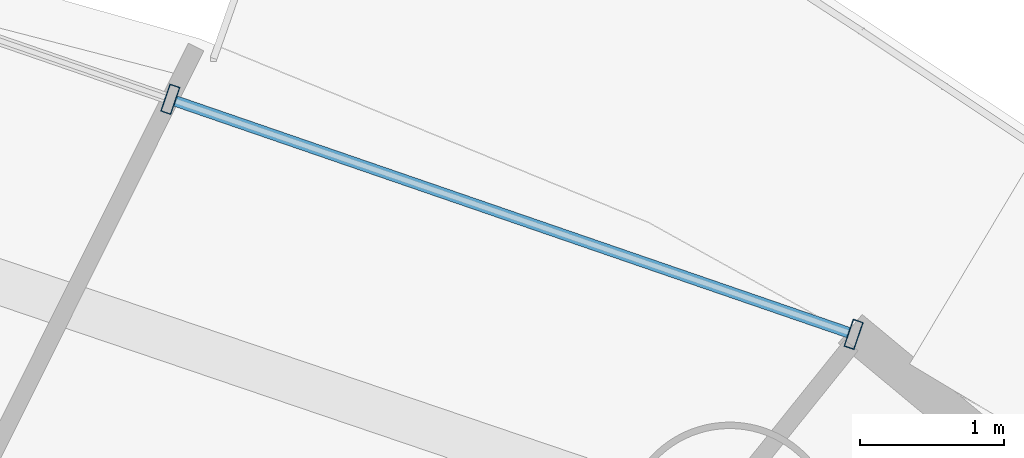
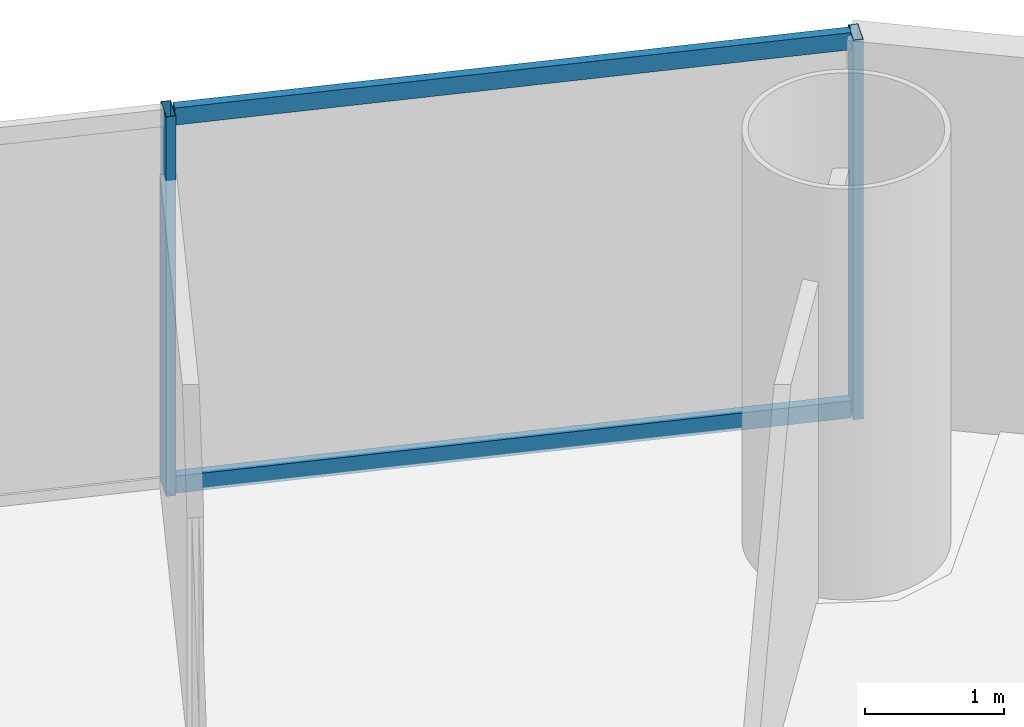
# One storey, part 20 of 29: 4 members, 1 element without a shape of its own.
"""IFC4 building model written with IfcOpenShell, lengths in metres."""

from ifc_helpers import new_model, si_unit, direction, frame, origin, origin_2d, place, context, subcontext, project, spatial, hollow_rectangle, extrude, source, transform, mapped, material, material_profile, profile_set, type_object, element, aggregate, save


model = new_model("IFC4")

# Units and contexts
model_context = context("Model", 3, precision=1e-05, world=origin(), true_north=direction((-0.2419218956, 0.970295726276)))
body_context = subcontext(model_context, "Body", "Model", "MODEL_VIEW")
ifc_project = project(units=[si_unit("LENGTHUNIT", "METRE"), si_unit("AREAUNIT", "SQUARE_METRE"), si_unit("VOLUMEUNIT", "CUBIC_METRE"), si_unit("PLANEANGLEUNIT", "RADIAN"), si_unit("MASSUNIT", "GRAM", prefix="KILO")], contexts=[model_context])

# Site, building, storey
site_placement = place(None, origin())
site = spatial("IfcSite", under=ifc_project, at=site_placement, CompositionType="ELEMENT")
building_placement = place(site_placement, origin())
building = spatial("IfcBuilding", under=site, at=building_placement, Name="Cobrevalo Terracotta Tower", CompositionType="ELEMENT")
storey_placement = place(building_placement, frame((0.0, 0.0, 83.39990234375)))
storey = spatial("IfcBuildingStorey", under=building, at=storey_placement, Name="L21", CompositionType="ELEMENT", Elevation=83.39990234375)

# Curtain wall, members
ifc_material = material(Name="Anodized aluminium", Category="aluminium")
curtain_wall_type = type_object("IfcCurtainWallType", Name="Lower-tower unitised acoustic low-E curtain wall CW-U1", PredefinedType="NOTDEFINED", material=ifc_material)
curtain_wall_placement = place(storey_placement, origin())
curtain_wall = element("IfcCurtainWall", 1, at=curtain_wall_placement, inside=storey, type_object=curtain_wall_type, Name="L21 curtain wall CW-L21-S03", PredefinedType="NOTDEFINED")
ifc_material_profile_1 = material_profile(ifc_material, hollow_rectangle(XDim=0.074951171875, YDim=0.14990234375, WallThickness=0.00439453125, at=origin_2d()), Name="CWT 75x150")
ifc_profile_set_1 = profile_set([ifc_material_profile_1], Name="Anodized aluminium")
member_type_1 = type_object("IfcMemberType", Name="Tower unitised aluminium transom 75x150", PredefinedType="USERDEFINED", material=ifc_profile_set_1)
shared_shape_1 = source(origin(), body_context, "Body", "SweptSolid", [
    extrude(hollow_rectangle(XDim=0.074951171875, YDim=0.14990234375, WallThickness=0.00439453125, at=origin_2d()), origin(), (0.0, 0.0, 1.0), 4.944580078125),
])
member_1_placement = place(storey_placement, frame((52.685791015625, 45.176513671875, 0.050048828125), z_axis=(-0.945597859971, 0.32533780478, 0.0), x_axis=(-0.32533780478, -0.945597859971, 0.0)))
member_1 = element("IfcMember", 2, at=member_1_placement, type_object=member_type_1, Name="CW-L21-S03 transom B01-T1", ObjectType="TRANSOM", PredefinedType="USERDEFINED", context=body_context, shape_type="MappedRepresentation", body=[
    mapped(shared_shape_1, transform((0.0, 0.0, 0.0), scale=1.0)),
])
member_2_placement = place(storey_placement, frame((52.685791015625, 45.176513671875, 3.275146484375), z_axis=(-0.945597859971, 0.32533780478, 0.0), x_axis=(-0.32533780478, -0.945597859971, 0.0)))
member_2 = element("IfcMember", 3, at=member_2_placement, type_object=member_type_1, Name="CW-L21-S03 transom B01-T2", ObjectType="TRANSOM", PredefinedType="USERDEFINED", context=body_context, shape_type="MappedRepresentation", body=[
    mapped(shared_shape_1, transform((0.0, 0.0, 0.0), scale=1.0)),
])
ifc_material_profile_2 = material_profile(ifc_material, hollow_rectangle(XDim=0.074951171875, YDim=0.199951171875, WallThickness=0.0048828125, at=origin_2d()), Name="CWM 75x200")
ifc_profile_set_2 = profile_set([ifc_material_profile_2], Name="Anodized aluminium")
member_type_2 = type_object("IfcMemberType", Name="Lower/mid tower unitised mullion 75x200", PredefinedType="MULLION", material=ifc_profile_set_2)
shared_shape_2 = source(origin(), body_context, "Body", "SweptSolid", [
    extrude(hollow_rectangle(XDim=0.074951171875, YDim=0.199951171875, WallThickness=0.0048828125, at=origin_2d()), origin(), (0.0, 0.0, 1.0), 3.3251953125),
])
member_3_placement = place(storey_placement, frame((52.7236328125, 45.16357421875, 0.0), z_axis=(0.0, 0.0, 1.0), x_axis=(-0.94559809868, 0.325337110968, 0.0)))
member_3 = element("IfcMember", 4, at=member_3_placement, type_object=member_type_2, Name="CW-L21-S03 vertical mullion 01", PredefinedType="MULLION", context=body_context, shape_type="MappedRepresentation", body=[
    mapped(shared_shape_2, transform((0.0, 0.0, 0.0), scale=1.0)),
])
member_4_placement = place(storey_placement, frame((47.972412109375, 46.79833984375, 0.0), z_axis=(0.0, 0.0, 1.0), x_axis=(-0.94559809868, 0.325337110968, 0.0)))
member_4 = element("IfcMember", 5, at=member_4_placement, type_object=member_type_2, Name="CW-L21-S03 vertical mullion 02", PredefinedType="MULLION", context=body_context, shape_type="MappedRepresentation", body=[
    mapped(shared_shape_2, transform((0.0, 0.0, 0.0), scale=1.0)),
])
aggregate(curtain_wall, [member_3, member_4, member_1, member_2])

save(model, "model.ifc")
